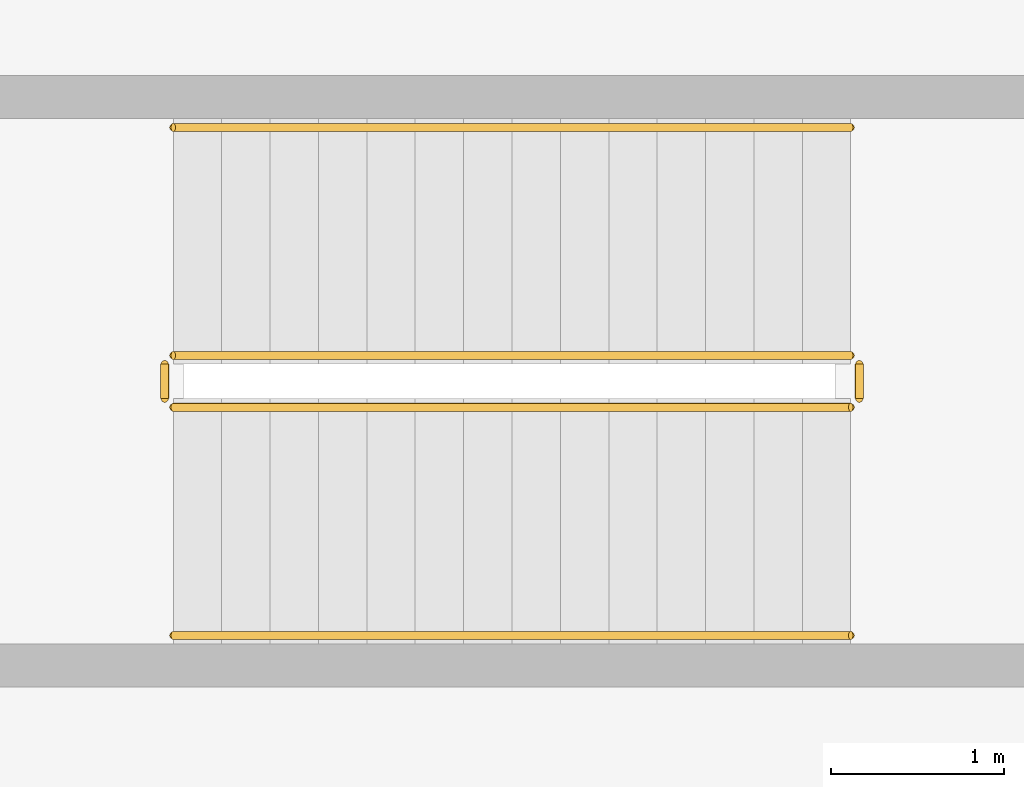
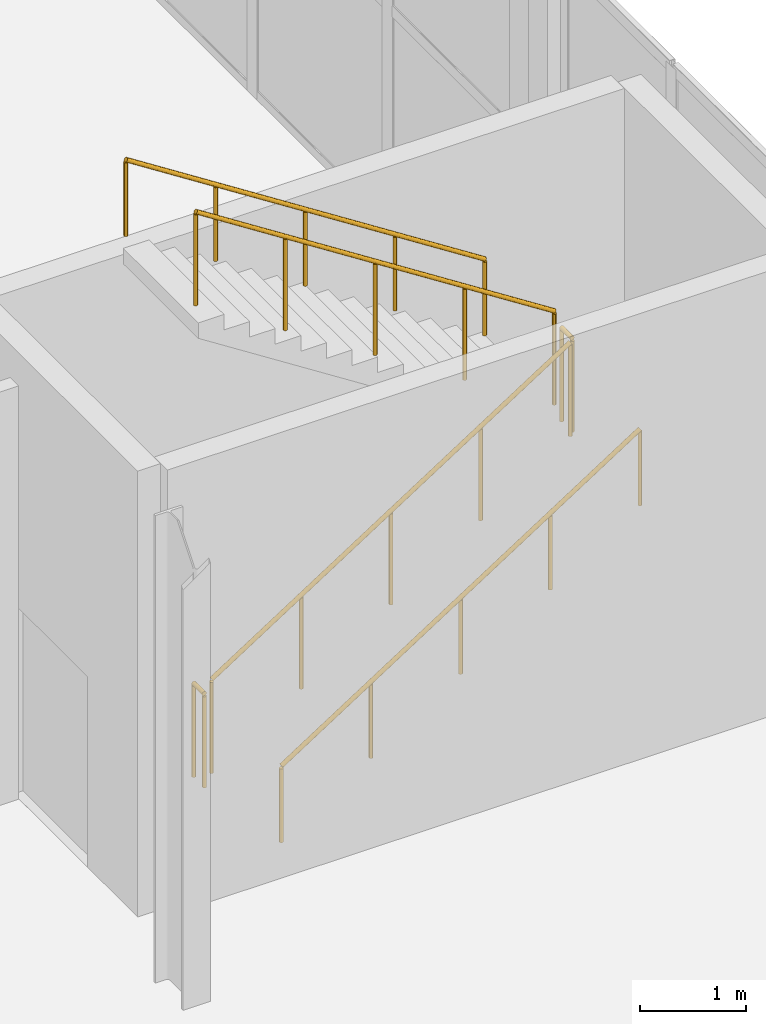
# One storey, part 135 of 147: 6 railings.
"""IFC4 building model written with IfcOpenShell, lengths in metres."""

from ifc_helpers import new_model, si_unit, direction, frame, origin, origin_2d, place, context, subcontext, project, spatial, circle, extrude, material, type_object, element, save


model = new_model("IFC4")

# Units and contexts
model_context = context("Model", 3, precision=1e-05, world=origin(), true_north=direction((0.0, 1.0)))
body_context = subcontext(model_context, "Body", "Model", "MODEL_VIEW")
ifc_project = project(units=[si_unit("LENGTHUNIT", "METRE"), si_unit("AREAUNIT", "SQUARE_METRE"), si_unit("VOLUMEUNIT", "CUBIC_METRE"), si_unit("PLANEANGLEUNIT", "RADIAN"), si_unit("MASSUNIT", "GRAM", prefix="KILO")], contexts=[model_context])

# Site, building, storey
site_placement = place(None, origin())
site = spatial("IfcSite", under=ifc_project, at=site_placement, CompositionType="ELEMENT")
building_placement = place(site_placement, origin())
building = spatial("IfcBuilding", under=site, at=building_placement, Name="Vekula Escarpment Museum", CompositionType="ELEMENT")
storey_placement = place(building_placement, frame((0.0, 0.0, 7.800048828125)))
storey = spatial("IfcBuildingStorey", under=building, at=storey_placement, Name="L02", CompositionType="ELEMENT", Elevation=7.800048828125)

# Railings
ifc_material_1 = material(Name="Painted Steel S355 stair guard", Category="steel")
railing_type_1 = type_object("IfcRailingType", Name="RL-STAIR-GUARD", PredefinedType="GUARDRAIL", material=ifc_material_1)
railing_1_placement = place(storey_placement, frame((119.919921875, 55.3701171875, 0.179931640625)))
element("IfcRailing", 1, at=railing_1_placement, inside=storey, type_object=railing_type_1, Name="L02 ST-08 stair guard 1", PredefinedType="GUARDRAIL", context=body_context, shape_type="SweptSolid", body=[
    extrude(circle(Radius=0.02392578125, at=origin_2d()), frame((0.0, 0.0, 1.076171875), z_axis=(0.841186985886, 0.0, 0.540744352514), x_axis=(0.0, 1.0, 0.0)), (0.0, 0.0, 1.0), 4.660400390625),
    extrude(circle(Radius=0.02099609375, at=origin_2d()), origin(), (0.0, 0.0, 1.0), 1.052001953125),
    extrude(circle(Radius=0.02099609375, at=origin_2d()), frame((0.97998046875, 0.0, 0.6298828125)), (0.0, 0.0, 1.0), 1.052001953125),
    extrude(circle(Radius=0.02099609375, at=origin_2d()), frame((1.9599609375, 0.0, 1.260009765625)), (0.0, 0.0, 1.0), 1.052001953125),
    extrude(circle(Radius=0.02099609375, at=origin_2d()), frame((2.940185546875, 0.0, 1.89013671875)), (0.0, 0.0, 1.0), 1.052001953125),
    extrude(circle(Radius=0.02099609375, at=origin_2d()), frame((3.920166015625, 0.0, 2.52001953125)), (0.0, 0.0, 1.0), 1.052001953125),
])
railing_2_placement = place(storey_placement, frame((123.889892578125, 55.419921875, 2.699951171875)))
element("IfcRailing", 2, at=railing_2_placement, inside=storey, type_object=railing_type_1, Name="L02 ST-08 stair guard 2", PredefinedType="GUARDRAIL", context=body_context, shape_type="SweptSolid", body=[
    extrude(circle(Radius=0.02392578125, at=origin_2d()), frame((0.0, 0.0, 1.076171875), z_axis=(0.0, 1.0, 0.0), x_axis=(-1.0, 0.0, 0.0)), (0.0, 0.0, 1.0), 0.2001953125),
    extrude(circle(Radius=0.02099609375, at=origin_2d()), origin(), (0.0, 0.0, 1.0), 1.052001953125),
    extrude(circle(Radius=0.02099609375, at=origin_2d()), frame((0.0, 0.2001953125, 0.0)), (0.0, 0.0, 1.0), 1.052001953125),
])
railing_3_placement = place(storey_placement, frame((123.840087890625, 55.669921875, 2.8798828125)))
element("IfcRailing", 3, at=railing_3_placement, inside=storey, type_object=railing_type_1, Name="L02 ST-08 stair guard 3", PredefinedType="GUARDRAIL", context=body_context, shape_type="SweptSolid", body=[
    extrude(circle(Radius=0.02392578125, at=origin_2d()), frame((0.0, 0.0, 1.076171875), z_axis=(-0.841186985886, 0.0, 0.540744352514), x_axis=(0.0, -1.0, 0.0)), (0.0, 0.0, 1.0), 4.660400390625),
    extrude(circle(Radius=0.02099609375, at=origin_2d()), origin(), (0.0, 0.0, 1.0), 1.052001953125),
    extrude(circle(Radius=0.02099609375, at=origin_2d()), frame((-0.97998046875, 0.0, 0.6298828125)), (0.0, 0.0, 1.0), 1.052001953125),
    extrude(circle(Radius=0.02099609375, at=origin_2d()), frame((-1.9599609375, 0.0, 1.260009765625)), (0.0, 0.0, 1.0), 1.052001953125),
    extrude(circle(Radius=0.02099609375, at=origin_2d()), frame((-2.940185546875, 0.0, 1.89013671875)), (0.0, 0.0, 1.0), 1.052001953125),
    extrude(circle(Radius=0.02099609375, at=origin_2d()), frame((-3.920166015625, 0.0, 2.52001953125)), (0.0, 0.0, 1.0), 1.052001953125),
])
railing_4_placement = place(storey_placement, frame((119.8701171875, 55.419921875, 0.0)))
element("IfcRailing", 4, at=railing_4_placement, inside=storey, type_object=railing_type_1, Name="L02 ST-08 stair guard 4", PredefinedType="GUARDRAIL", context=body_context, shape_type="SweptSolid", body=[
    extrude(circle(Radius=0.02392578125, at=origin_2d()), frame((0.0, 0.0, 1.076171875), z_axis=(0.0, 1.0, 0.0), x_axis=(-1.0, 0.0, 0.0)), (0.0, 0.0, 1.0), 0.2001953125),
    extrude(circle(Radius=0.02099609375, at=origin_2d()), origin(), (0.0, 0.0, 1.0), 1.052001953125),
    extrude(circle(Radius=0.02099609375, at=origin_2d()), frame((0.0, 0.2001953125, 0.0)), (0.0, 0.0, 1.0), 1.052001953125),
])
ifc_material_2 = material(Name="Brushed stainless steel handrail", Category="steel")
railing_type_2 = type_object("IfcRailingType", Name="RL-STAIR-HAND", PredefinedType="HANDRAIL", material=ifc_material_2)
railing_5_placement = place(storey_placement, frame((119.919921875, 54.050048828125, 0.179931640625)))
element("IfcRailing", 5, at=railing_5_placement, inside=storey, type_object=railing_type_2, Name="L02 ST-08 stair handrail 1", PredefinedType="HANDRAIL", context=body_context, shape_type="SweptSolid", body=[
    extrude(circle(Radius=0.02392578125, at=origin_2d()), frame((0.0, 0.0, 0.8759765625), z_axis=(0.841186985886, 0.0, 0.540744352514), x_axis=(0.0, 1.0, 0.0)), (0.0, 0.0, 1.0), 4.660400390625),
    extrude(circle(Radius=0.02099609375, at=origin_2d()), origin(), (0.0, 0.0, 1.0), 0.851806640625),
    extrude(circle(Radius=0.02099609375, at=origin_2d()), frame((0.97998046875, 0.0, 0.6298828125)), (0.0, 0.0, 1.0), 0.851806640625),
    extrude(circle(Radius=0.02099609375, at=origin_2d()), frame((1.9599609375, 0.0, 1.260009765625)), (0.0, 0.0, 1.0), 0.851806640625),
    extrude(circle(Radius=0.02099609375, at=origin_2d()), frame((2.940185546875, 0.0, 1.89013671875)), (0.0, 0.0, 1.0), 0.851806640625),
    extrude(circle(Radius=0.02099609375, at=origin_2d()), frame((3.920166015625, 0.0, 2.52001953125)), (0.0, 0.0, 1.0), 0.851806640625),
])
railing_6_placement = place(storey_placement, frame((123.840087890625, 56.989990234375, 2.8798828125)))
element("IfcRailing", 6, at=railing_6_placement, inside=storey, type_object=railing_type_2, Name="L02 ST-08 stair handrail 2", PredefinedType="HANDRAIL", context=body_context, shape_type="SweptSolid", body=[
    extrude(circle(Radius=0.02392578125, at=origin_2d()), frame((0.0, 0.0, 0.8759765625), z_axis=(-0.841186985886, 0.0, 0.540744352514), x_axis=(0.0, -1.0, 0.0)), (0.0, 0.0, 1.0), 4.660400390625),
    extrude(circle(Radius=0.02099609375, at=origin_2d()), origin(), (0.0, 0.0, 1.0), 0.851806640625),
    extrude(circle(Radius=0.02099609375, at=origin_2d()), frame((-0.97998046875, 0.0, 0.6298828125)), (0.0, 0.0, 1.0), 0.851806640625),
    extrude(circle(Radius=0.02099609375, at=origin_2d()), frame((-1.9599609375, 0.0, 1.260009765625)), (0.0, 0.0, 1.0), 0.851806640625),
    extrude(circle(Radius=0.02099609375, at=origin_2d()), frame((-2.940185546875, 0.0, 1.89013671875)), (0.0, 0.0, 1.0), 0.851806640625),
    extrude(circle(Radius=0.02099609375, at=origin_2d()), frame((-3.920166015625, 0.0, 2.52001953125)), (0.0, 0.0, 1.0), 0.851806640625),
])

save(model, "model.ifc")
